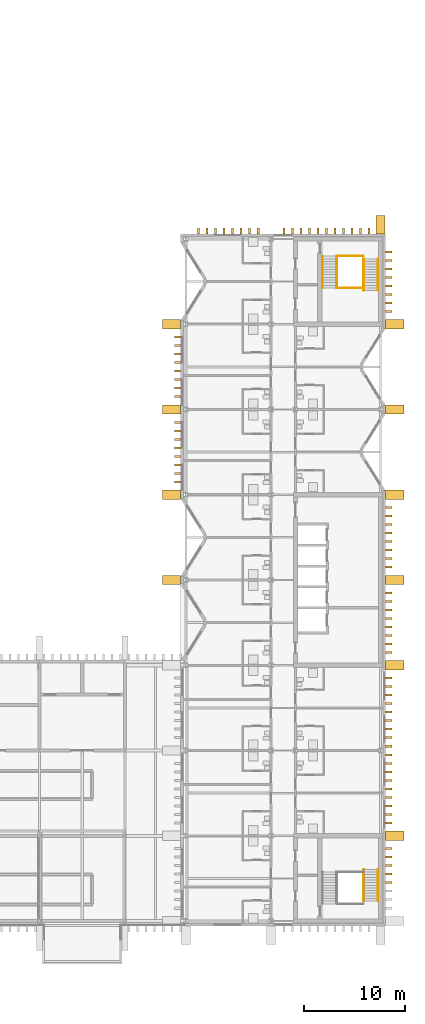
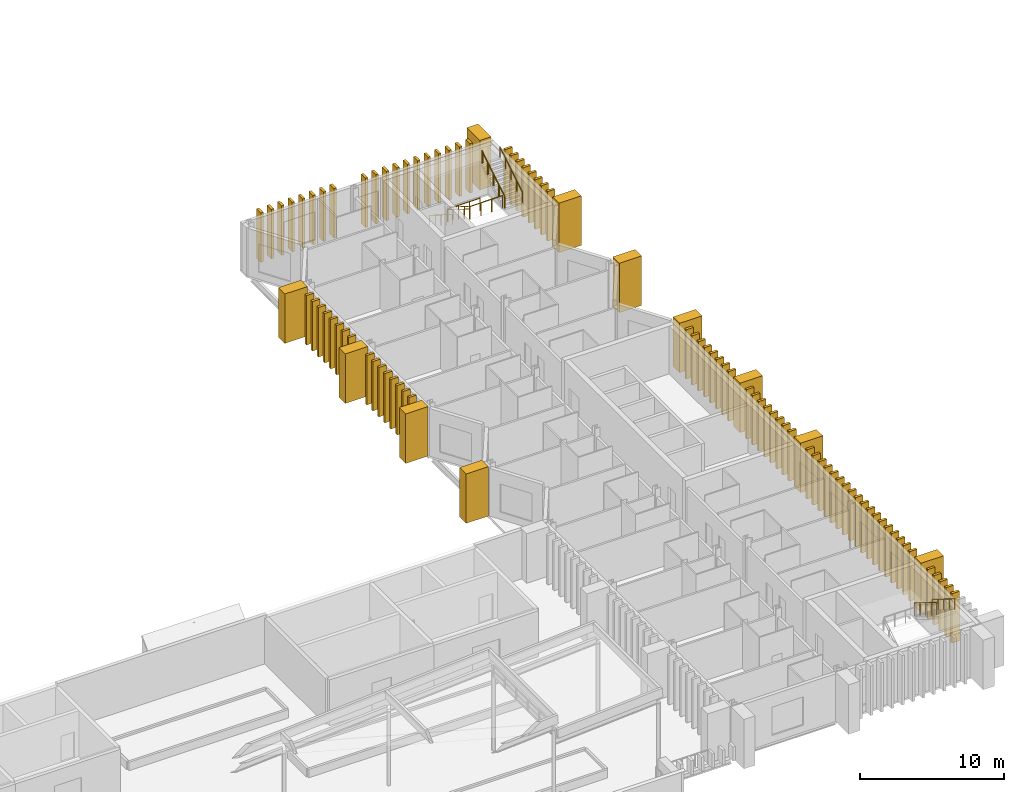
# One storey, part 50 of 51: 93 coverings, 10 railings.
"""IFC4 building model written with IfcOpenShell, lengths in metres."""

from ifc_helpers import new_model, si_unit, direction, frame, origin, origin_2d, place, context, subcontext, project, spatial, rectangle, circle, extrude, material, type_object, element, save


model = new_model("IFC4")

# Units and contexts
model_context = context("Model", 3, precision=1e-05, world=origin(), true_north=direction((0.0, 1.0)))
body_context = subcontext(model_context, "Body", "Model", "MODEL_VIEW")
ifc_project = project(units=[si_unit("LENGTHUNIT", "METRE"), si_unit("AREAUNIT", "SQUARE_METRE"), si_unit("VOLUMEUNIT", "CUBIC_METRE"), si_unit("PLANEANGLEUNIT", "RADIAN"), si_unit("MASSUNIT", "GRAM", prefix="KILO")], contexts=[model_context])

# Site, building, storey
site_placement = place(None, origin())
site = spatial("IfcSite", under=ifc_project, at=site_placement, CompositionType="ELEMENT")
building_placement = place(site_placement, origin())
building = spatial("IfcBuilding", under=site, at=building_placement, Name="Cresset Court Congress Hotel", CompositionType="ELEMENT")
storey_placement = place(building_placement, frame((0.0, 0.0, 18.60009765625)))
storey = spatial("IfcBuildingStorey", under=building, at=storey_placement, Name="L04", CompositionType="ELEMENT", Elevation=18.60009765625)

# Coverings
ifc_material_1 = material(Name="Precast concrete C50", Category="concrete")
covering_type_1 = type_object("IfcCoveringType", Name="Precast stone fin 200x600", PredefinedType="CLADDING", material=ifc_material_1)
for number, where, z_axis, x_axis, name in (
    (1, (177.199951171875, 3.780029296875, 0.0), (0.0, 0.0, 1.0), (1.0, 0.0, 0.0), "Fin E005"),
    (2, (177.199951171875, 4.6201171875, 0.0), (0.0, 0.0, 1.0), (1.0, 0.0, 0.0), "Fin E006"),
    (3, (177.199951171875, 5.4599609375, 0.0), (0.0, 0.0, 1.0), (1.0, 0.0, 0.0), "Fin E007"),
    (4, (177.199951171875, 6.300048828125, 0.0), (0.0, 0.0, 1.0), (1.0, 0.0, 0.0), "Fin E008"),
    (5, (177.199951171875, 7.139892578125, 0.0), (0.0, 0.0, 1.0), (1.0, 0.0, 0.0), "Fin E009"),
    (6, (177.199951171875, 9.659912109375, 0.0), (0.0, 0.0, 1.0), (1.0, 0.0, 0.0), "Fin E012"),
    (7, (177.199951171875, 10.5, 0.0), (0.0, 0.0, 1.0), (1.0, 0.0, 0.0), "Fin E013"),
    (8, (177.199951171875, 11.340087890625, 0.0), (0.0, 0.0, 1.0), (1.0, 0.0, 0.0), "Fin E014"),
    (9, (177.199951171875, 12.179931640625, 0.0), (0.0, 0.0, 1.0), (1.0, 0.0, 0.0), "Fin E015"),
    (10, (177.199951171875, 13.02001953125, 0.0), (0.0, 0.0, 1.0), (1.0, 0.0, 0.0), "Fin E016"),
    (11, (177.199951171875, 13.860107421875, 0.0), (0.0, 0.0, 1.0), (1.0, 0.0, 0.0), "Fin E017"),
    (12, (177.199951171875, 14.699951171875, 0.0), (0.0, 0.0, 1.0), (1.0, 0.0, 0.0), "Fin E018"),
    (13, (177.199951171875, 15.5400390625, 0.0), (0.0, 0.0, 1.0), (1.0, 0.0, 0.0), "Fin E019"),
    (14, (177.199951171875, 16.3798828125, 0.0), (0.0, 0.0, 1.0), (1.0, 0.0, 0.0), "Fin E020"),
    (15, (177.199951171875, 17.219970703125, 0.0), (0.0, 0.0, 1.0), (1.0, 0.0, 0.0), "Fin E021"),
    (16, (177.199951171875, 18.06005859375, 0.0), (0.0, 0.0, 1.0), (1.0, 0.0, 0.0), "Fin E022"),
    (17, (177.199951171875, 18.89990234375, 0.0), (0.0, 0.0, 1.0), (1.0, 0.0, 0.0), "Fin E023"),
    (18, (177.199951171875, 19.739990234375, 0.0), (0.0, 0.0, 1.0), (1.0, 0.0, 0.0), "Fin E024"),
    (19, (177.199951171875, 20.580078125, 0.0), (0.0, 0.0, 1.0), (1.0, 0.0, 0.0), "Fin E025"),
    (20, (177.199951171875, 21.419921875, 0.0), (0.0, 0.0, 1.0), (1.0, 0.0, 0.0), "Fin E026"),
    (21, (177.199951171875, 22.260009765625, 0.0), (0.0, 0.0, 1.0), (1.0, 0.0, 0.0), "Fin E027"),
    (22, (177.199951171875, 23.10009765625, 0.0), (0.0, 0.0, 1.0), (1.0, 0.0, 0.0), "Fin E028"),
    (23, (177.199951171875, 23.93994140625, 0.0), (0.0, 0.0, 1.0), (1.0, 0.0, 0.0), "Fin E029"),
    (24, (177.199951171875, 26.4599609375, 0.0), (0.0, 0.0, 1.0), (1.0, 0.0, 0.0), "Fin E032"),
    (25, (177.199951171875, 27.300048828125, 0.0), (0.0, 0.0, 1.0), (1.0, 0.0, 0.0), "Fin E033"),
    (26, (177.199951171875, 28.139892578125, 0.0), (0.0, 0.0, 1.0), (1.0, 0.0, 0.0), "Fin E034"),
    (27, (177.199951171875, 28.97998046875, 0.0), (0.0, 0.0, 1.0), (1.0, 0.0, 0.0), "Fin E035"),
    (28, (177.199951171875, 29.820068359375, 0.0), (0.0, 0.0, 1.0), (1.0, 0.0, 0.0), "Fin E036"),
    (29, (177.199951171875, 30.659912109375, 0.0), (0.0, 0.0, 1.0), (1.0, 0.0, 0.0), "Fin E037"),
    (30, (177.199951171875, 31.5, 0.0), (0.0, 0.0, 1.0), (1.0, 0.0, 0.0), "Fin E038"),
    (31, (177.199951171875, 32.340087890625, 0.0), (0.0, 0.0, 1.0), (1.0, 0.0, 0.0), "Fin E039"),
    (32, (177.199951171875, 34.860107421875, 0.0), (0.0, 0.0, 1.0), (1.0, 0.0, 0.0), "Fin E042"),
    (33, (177.199951171875, 35.699951171875, 0.0), (0.0, 0.0, 1.0), (1.0, 0.0, 0.0), "Fin E043"),
    (34, (177.199951171875, 36.5400390625, 0.0), (0.0, 0.0, 1.0), (1.0, 0.0, 0.0), "Fin E044"),
    (35, (177.199951171875, 37.3798828125, 0.0), (0.0, 0.0, 1.0), (1.0, 0.0, 0.0), "Fin E045"),
    (36, (177.199951171875, 38.219970703125, 0.0), (0.0, 0.0, 1.0), (1.0, 0.0, 0.0), "Fin E046"),
    (37, (177.199951171875, 39.06005859375, 0.0), (0.0, 0.0, 1.0), (1.0, 0.0, 0.0), "Fin E047"),
    (38, (177.199951171875, 39.89990234375, 0.0), (0.0, 0.0, 1.0), (1.0, 0.0, 0.0), "Fin E048"),
    (39, (177.199951171875, 40.739990234375, 0.0), (0.0, 0.0, 1.0), (1.0, 0.0, 0.0), "Fin E049"),
    (40, (177.199951171875, 60.06005859375, 0.0), (0.0, 0.0, 1.0), (1.0, 0.0, 0.0), "Fin E072"),
    (41, (177.199951171875, 60.89990234375, 0.0), (0.0, 0.0, 1.0), (1.0, 0.0, 0.0), "Fin E073"),
    (42, (177.199951171875, 61.739990234375, 0.0), (0.0, 0.0, 1.0), (1.0, 0.0, 0.0), "Fin E074"),
    (43, (177.199951171875, 62.580078125, 0.0), (0.0, 0.0, 1.0), (1.0, 0.0, 0.0), "Fin E075"),
    (44, (177.199951171875, 63.419921875, 0.0), (0.0, 0.0, 1.0), (1.0, 0.0, 0.0), "Fin E076"),
    (45, (177.199951171875, 64.260009765625, 0.0), (0.0, 0.0, 1.0), (1.0, 0.0, 0.0), "Fin E077"),
    (46, (177.199951171875, 65.10009765625, 0.0), (0.0, 0.0, 1.0), (1.0, 0.0, 0.0), "Fin E078"),
    (47, (177.199951171875, 65.93994140625, 0.0), (0.0, 0.0, 1.0), (1.0, 0.0, 0.0), "Fin E079"),
    (48, (156.39990234375, 43.260009765625, 0.0), (0.0, 0.0, 1.0), (1.0, 0.0, 0.0), "Fin W052"),
    (49, (156.39990234375, 44.10009765625, 0.0), (0.0, 0.0, 1.0), (1.0, 0.0, 0.0), "Fin W053"),
    (50, (156.39990234375, 44.93994140625, 0.0), (0.0, 0.0, 1.0), (1.0, 0.0, 0.0), "Fin W054"),
    (51, (156.39990234375, 45.780029296875, 0.0), (0.0, 0.0, 1.0), (1.0, 0.0, 0.0), "Fin W055"),
    (52, (156.39990234375, 46.6201171875, 0.0), (0.0, 0.0, 1.0), (1.0, 0.0, 0.0), "Fin W056"),
    (53, (156.39990234375, 47.4599609375, 0.0), (0.0, 0.0, 1.0), (1.0, 0.0, 0.0), "Fin W057"),
    (54, (156.39990234375, 48.300048828125, 0.0), (0.0, 0.0, 1.0), (1.0, 0.0, 0.0), "Fin W058"),
    (55, (156.39990234375, 49.139892578125, 0.0), (0.0, 0.0, 1.0), (1.0, 0.0, 0.0), "Fin W059"),
    (56, (156.39990234375, 51.659912109375, 0.0), (0.0, 0.0, 1.0), (1.0, 0.0, 0.0), "Fin W062"),
    (57, (156.39990234375, 52.5, 0.0), (0.0, 0.0, 1.0), (1.0, 0.0, 0.0), "Fin W063"),
    (58, (156.39990234375, 53.340087890625, 0.0), (0.0, 0.0, 1.0), (1.0, 0.0, 0.0), "Fin W064"),
    (59, (156.39990234375, 54.179931640625, 0.0), (0.0, 0.0, 1.0), (1.0, 0.0, 0.0), "Fin W065"),
    (60, (156.39990234375, 55.02001953125, 0.0), (0.0, 0.0, 1.0), (1.0, 0.0, 0.0), "Fin W066"),
    (61, (156.39990234375, 55.860107421875, 0.0), (0.0, 0.0, 1.0), (1.0, 0.0, 0.0), "Fin W067"),
    (62, (156.39990234375, 56.699951171875, 0.0), (0.0, 0.0, 1.0), (1.0, 0.0, 0.0), "Fin W068"),
    (63, (156.39990234375, 57.5400390625, 0.0), (0.0, 0.0, 1.0), (1.0, 0.0, 0.0), "Fin W069"),
):
    element("IfcCovering", number, at=place(storey_placement, frame(where, z_axis=z_axis, x_axis=x_axis)), inside=storey, type_object=covering_type_1, Name=name, PredefinedType="CLADDING", context=body_context, shape_type="SweptSolid", body=[
        extrude(rectangle(XDim=0.60009765625, YDim=0.199951171875, at=origin_2d()), origin(), (0.0, 0.0, 1.0), 4.199951171875),
    ])
for number, where, z_axis, x_axis, name in (
    (64, (158.4599609375, 68.0, 0.0), (0.0, 0.0, 1.0), (1.0, 0.0, 0.0), "Fin N002"),
    (65, (159.300048828125, 68.0, 0.0), (0.0, 0.0, 1.0), (1.0, 0.0, 0.0), "Fin N003"),
    (66, (160.139892578125, 68.0, 0.0), (0.0, 0.0, 1.0), (1.0, 0.0, 0.0), "Fin N004"),
    (67, (160.97998046875, 68.0, 0.0), (0.0, 0.0, 1.0), (1.0, 0.0, 0.0), "Fin N005"),
    (68, (161.820068359375, 68.0, 0.0), (0.0, 0.0, 1.0), (1.0, 0.0, 0.0), "Fin N006"),
    (69, (162.659912109375, 68.0, 0.0), (0.0, 0.0, 1.0), (1.0, 0.0, 0.0), "Fin N007"),
    (70, (163.5, 68.0, 0.0), (0.0, 0.0, 1.0), (1.0, 0.0, 0.0), "Fin N008"),
    (71, (164.340087890625, 68.0, 0.0), (0.0, 0.0, 1.0), (1.0, 0.0, 0.0), "Fin N009"),
    (72, (166.860107421875, 68.0, 0.0), (0.0, 0.0, 1.0), (1.0, 0.0, 0.0), "Fin N012"),
    (73, (167.699951171875, 68.0, 0.0), (0.0, 0.0, 1.0), (1.0, 0.0, 0.0), "Fin N013"),
    (74, (168.5400390625, 68.0, 0.0), (0.0, 0.0, 1.0), (1.0, 0.0, 0.0), "Fin N014"),
    (75, (169.3798828125, 68.0, 0.0), (0.0, 0.0, 1.0), (1.0, 0.0, 0.0), "Fin N015"),
    (76, (170.219970703125, 68.0, 0.0), (0.0, 0.0, 1.0), (1.0, 0.0, 0.0), "Fin N016"),
    (77, (171.06005859375, 68.0, 0.0), (0.0, 0.0, 1.0), (1.0, 0.0, 0.0), "Fin N017"),
    (78, (171.89990234375, 68.0, 0.0), (0.0, 0.0, 1.0), (1.0, 0.0, 0.0), "Fin N018"),
    (79, (172.739990234375, 68.0, 0.0), (0.0, 0.0, 1.0), (1.0, 0.0, 0.0), "Fin N019"),
    (80, (173.580078125, 68.0, 0.0), (0.0, 0.0, 1.0), (1.0, 0.0, 0.0), "Fin N020"),
    (81, (174.419921875, 68.0, 0.0), (0.0, 0.0, 1.0), (1.0, 0.0, 0.0), "Fin N021"),
    (82, (175.260009765625, 68.0, 0.0), (0.0, 0.0, 1.0), (1.0, 0.0, 0.0), "Fin N022"),
):
    element("IfcCovering", number, at=place(storey_placement, frame(where, z_axis=z_axis, x_axis=x_axis)), inside=storey, type_object=covering_type_1, Name=name, PredefinedType="CLADDING", context=body_context, shape_type="SweptSolid", body=[
        extrude(rectangle(XDim=0.199951171875, YDim=0.60009765625, at=origin_2d()), origin(), (0.0, 0.0, 1.0), 4.199951171875),
    ])
ifc_material_2 = material(Name="Precast concrete C50", Category="concrete")
covering_type_2 = type_object("IfcCoveringType", Name="Precast stone pier 900x1800", PredefinedType="CLADDING", material=ifc_material_2)
for number, where, z_axis, x_axis, name in (
    (83, (177.800048828125, 8.39990234375, 0.0), (0.0, 0.0, 1.0), (1.0, 0.0, 0.0), "Pier E02"),
    (84, (177.800048828125, 25.199951171875, 0.0), (0.0, 0.0, 1.0), (1.0, 0.0, 0.0), "Pier E03"),
    (85, (177.800048828125, 33.60009765625, 0.0), (0.0, 0.0, 1.0), (1.0, 0.0, 0.0), "Pier E04"),
    (86, (177.800048828125, 42.0, 0.0), (0.0, 0.0, 1.0), (1.0, 0.0, 0.0), "Pier E05"),
    (87, (177.800048828125, 50.39990234375, 0.0), (0.0, 0.0, 1.0), (1.0, 0.0, 0.0), "Pier E06"),
    (88, (177.800048828125, 58.800048828125, 0.0), (0.0, 0.0, 1.0), (1.0, 0.0, 0.0), "Pier E07"),
    (89, (155.800048828125, 33.60009765625, 0.0), (0.0, 0.0, 1.0), (1.0, 0.0, 0.0), "Pier W05"),
    (90, (155.800048828125, 42.0, 0.0), (0.0, 0.0, 1.0), (1.0, 0.0, 0.0), "Pier W06"),
    (91, (155.800048828125, 50.39990234375, 0.0), (0.0, 0.0, 1.0), (1.0, 0.0, 0.0), "Pier W07"),
    (92, (155.800048828125, 58.800048828125, 0.0), (0.0, 0.0, 1.0), (1.0, 0.0, 0.0), "Pier W08"),
):
    element("IfcCovering", number, at=place(storey_placement, frame(where, z_axis=z_axis, x_axis=x_axis)), inside=storey, type_object=covering_type_2, Name=name, PredefinedType="CLADDING", context=body_context, shape_type="SweptSolid", body=[
        extrude(rectangle(XDim=1.800048828125, YDim=0.89990234375, at=origin_2d()), origin(), (0.0, 0.0, 1.0), 4.199951171875),
    ])
covering_placement = place(storey_placement, frame((176.39990234375, 68.60009765625, 0.0), z_axis=(0.0, 0.0, 1.0), x_axis=(1.0, 0.0, 0.0)))
element("IfcCovering", 93, at=covering_placement, inside=storey, type_object=covering_type_2, Name="Pier N03", PredefinedType="CLADDING", context=body_context, shape_type="SweptSolid", body=[
    extrude(rectangle(XDim=0.89990234375, YDim=1.800048828125, at=origin_2d()), origin(), (0.0, 0.0, 1.0), 4.199951171875),
])

# Railings
ifc_material_3 = material(Name="Stainless steel", Category="steel")
railing_type_1 = type_object("IfcRailingType", Name="Stair guard 1100", PredefinedType="GUARDRAIL", material=ifc_material_3)
for number, where, name in (
    (94, (174.699951171875, 5.080078125, 2.261474609375), "Guard A1 L04"),
    (95, (172.10009765625, 65.5, 0.161376953125), "Guard A2 L04"),
):
    element("IfcRailing", number, at=place(storey_placement, frame(where)), inside=storey, type_object=railing_type_1, Name=name, PredefinedType="GUARDRAIL", context=body_context, shape_type="SweptSolid", body=[
        extrude(circle(Radius=0.02392578125, at=origin_2d()), frame((0.0, 0.0, 1.076171875), z_axis=(0.0, -0.849414166554, 0.527726798313), x_axis=(1.0, 0.0, 0.0)), (0.0, 0.0, 1.0), 3.67333984375),
        extrude(circle(Radius=0.02099609375, at=origin_2d()), origin(), (0.0, 0.0, 1.0), 1.052001953125),
        extrude(circle(Radius=0.02099609375, at=origin_2d()), frame((0.0, -0.780029296875, 0.484619140625)), (0.0, 0.0, 1.0), 1.052001953125),
        extrude(circle(Radius=0.02099609375, at=origin_2d()), frame((0.0, -1.56005859375, 0.96923828125)), (0.0, 0.0, 1.0), 1.052001953125),
        extrude(circle(Radius=0.02099609375, at=origin_2d()), frame((0.0, -2.340087890625, 1.453857421875)), (0.0, 0.0, 1.0), 1.052001953125),
        extrude(circle(Radius=0.02099609375, at=origin_2d()), frame((0.0, -3.1201171875, 1.9384765625)), (0.0, 0.0, 1.0), 1.052001953125),
    ])
railing_placement = place(storey_placement, frame((174.699951171875, 62.1201171875, 2.261474609375)))
element("IfcRailing", 96, at=railing_placement, inside=storey, type_object=railing_type_1, Name="Guard A2 L04", PredefinedType="GUARDRAIL", context=body_context, shape_type="SweptSolid", body=[
    extrude(circle(Radius=0.02392578125, at=origin_2d()), frame((0.0, 0.0, 1.076171875), z_axis=(0.0, 0.849395654964, 0.52775659288), x_axis=(-1.0, 0.0, 0.0)), (0.0, 0.0, 1.0), 3.673095703125),
    extrude(circle(Radius=0.02099609375, at=origin_2d()), origin(), (0.0, 0.0, 1.0), 1.052001953125),
    extrude(circle(Radius=0.02099609375, at=origin_2d()), frame((0.0, 0.780029296875, 0.484619140625)), (0.0, 0.0, 1.0), 1.052001953125),
    extrude(circle(Radius=0.02099609375, at=origin_2d()), frame((0.0, 1.56005859375, 0.96923828125)), (0.0, 0.0, 1.0), 1.052001953125),
    extrude(circle(Radius=0.02099609375, at=origin_2d()), frame((0.0, 2.33984375, 1.453857421875)), (0.0, 0.0, 1.0), 1.052001953125),
    extrude(circle(Radius=0.02099609375, at=origin_2d()), frame((0.0, 3.119873046875, 1.9384765625)), (0.0, 0.0, 1.0), 1.052001953125),
])
for number, where, name in (
    (97, (172.10009765625, 65.5, 0.0), "Guard A2 L04"),
    (98, (172.10009765625, 62.3798828125, 2.099853515625), "Guard A2 L04"),
):
    element("IfcRailing", number, at=place(storey_placement, frame(where)), inside=storey, type_object=railing_type_1, Name=name, PredefinedType="GUARDRAIL", context=body_context, shape_type="SweptSolid", body=[
        extrude(circle(Radius=0.02392578125, at=origin_2d()), frame((0.0, 0.0, 1.076171875), z_axis=(1.0, 0.0, 0.0), x_axis=(0.0, 1.0, 0.0)), (0.0, 0.0, 1.0), 2.599853515625),
        extrude(circle(Radius=0.02099609375, at=origin_2d()), origin(), (0.0, 0.0, 1.0), 1.052001953125),
        extrude(circle(Radius=0.02099609375, at=origin_2d()), frame((0.86669921875, 0.0, 0.0)), (0.0, 0.0, 1.0), 1.052001953125),
        extrude(circle(Radius=0.02099609375, at=origin_2d()), frame((1.733154296875, 0.0, 0.0)), (0.0, 0.0, 1.0), 1.052001953125),
        extrude(circle(Radius=0.02099609375, at=origin_2d()), frame((2.599853515625, 0.0, 0.0)), (0.0, 0.0, 1.0), 1.052001953125),
    ])
ifc_material_4 = material(Name="Stainless steel", Category="steel")
railing_type_2 = type_object("IfcRailingType", Name="Stair handrail 900", PredefinedType="HANDRAIL", material=ifc_material_4)
for number, where, name in (
    (99, (176.139892578125, 5.080078125, 2.261474609375), "Handrail A1 L04"),
    (100, (170.659912109375, 65.5, 0.161376953125), "Handrail A2 L04"),
    (101, (172.0400390625, 65.5, 0.161376953125), "Handrail A2 L04"),
):
    element("IfcRailing", number, at=place(storey_placement, frame(where)), inside=storey, type_object=railing_type_2, Name=name, PredefinedType="HANDRAIL", context=body_context, shape_type="SweptSolid", body=[
        extrude(circle(Radius=0.02392578125, at=origin_2d()), frame((0.0, 0.0, 0.8759765625), z_axis=(0.0, -0.849414166554, 0.527726798313), x_axis=(1.0, 0.0, 0.0)), (0.0, 0.0, 1.0), 3.67333984375),
        extrude(circle(Radius=0.02099609375, at=origin_2d()), origin(), (0.0, 0.0, 1.0), 0.851806640625),
        extrude(circle(Radius=0.02099609375, at=origin_2d()), frame((0.0, -0.780029296875, 0.484619140625)), (0.0, 0.0, 1.0), 0.851806640625),
        extrude(circle(Radius=0.02099609375, at=origin_2d()), frame((0.0, -1.56005859375, 0.96923828125)), (0.0, 0.0, 1.0), 0.851806640625),
        extrude(circle(Radius=0.02099609375, at=origin_2d()), frame((0.0, -2.340087890625, 1.453857421875)), (0.0, 0.0, 1.0), 0.851806640625),
        extrude(circle(Radius=0.02099609375, at=origin_2d()), frame((0.0, -3.1201171875, 1.9384765625)), (0.0, 0.0, 1.0), 0.851806640625),
    ])
for number, where, name in (
    (102, (174.760009765625, 62.1201171875, 2.261474609375), "Handrail A2 L04"),
    (103, (176.139892578125, 62.1201171875, 2.261474609375), "Handrail A2 L04"),
):
    element("IfcRailing", number, at=place(storey_placement, frame(where)), inside=storey, type_object=railing_type_2, Name=name, PredefinedType="HANDRAIL", context=body_context, shape_type="SweptSolid", body=[
        extrude(circle(Radius=0.02392578125, at=origin_2d()), frame((0.0, 0.0, 0.8759765625), z_axis=(0.0, 0.849395654964, 0.52775659288), x_axis=(-1.0, 0.0, 0.0)), (0.0, 0.0, 1.0), 3.673095703125),
        extrude(circle(Radius=0.02099609375, at=origin_2d()), origin(), (0.0, 0.0, 1.0), 0.851806640625),
        extrude(circle(Radius=0.02099609375, at=origin_2d()), frame((0.0, 0.780029296875, 0.484619140625)), (0.0, 0.0, 1.0), 0.851806640625),
        extrude(circle(Radius=0.02099609375, at=origin_2d()), frame((0.0, 1.56005859375, 0.96923828125)), (0.0, 0.0, 1.0), 0.851806640625),
        extrude(circle(Radius=0.02099609375, at=origin_2d()), frame((0.0, 2.33984375, 1.453857421875)), (0.0, 0.0, 1.0), 0.851806640625),
        extrude(circle(Radius=0.02099609375, at=origin_2d()), frame((0.0, 3.119873046875, 1.9384765625)), (0.0, 0.0, 1.0), 0.851806640625),
    ])

save(model, "model.ifc")
